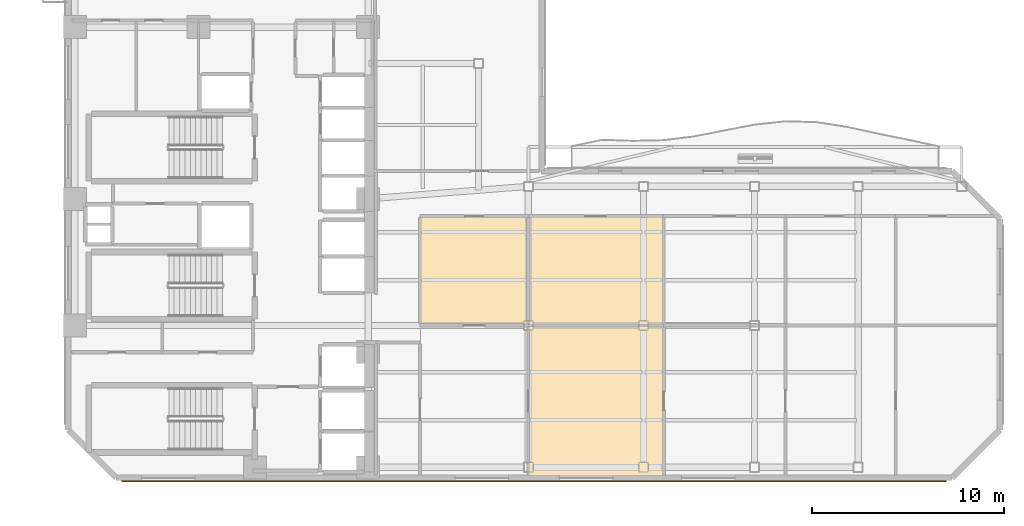
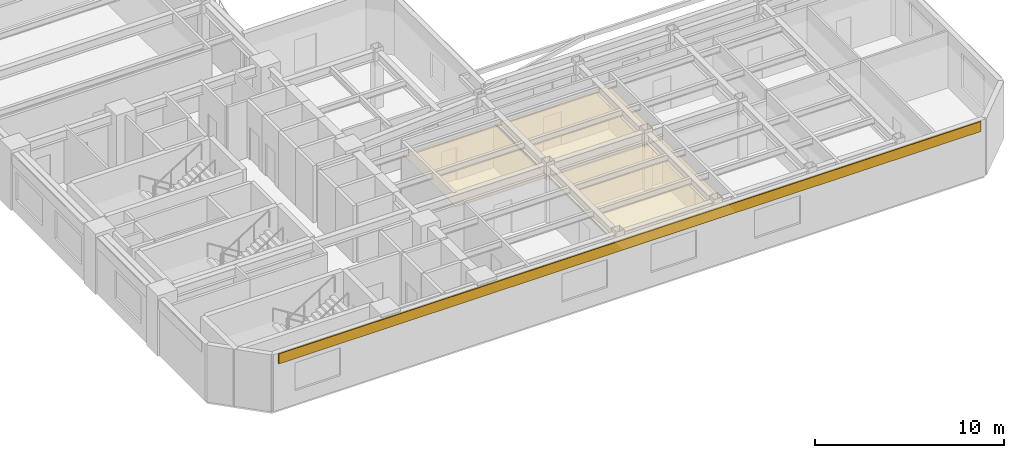
# One storey, part 8 of 12: 4 coverings.
"""IFC4 building model written with IfcOpenShell, lengths in metres."""

from ifc_helpers import new_model, si_unit, direction, frame, origin, origin_2d, place, context, subcontext, project, spatial, polyline, rectangle, outline, extrude, material, layer, layer_set, type_object, element, save


model = new_model("IFC4")

# Units and contexts
model_context = context("Model", 3, precision=1e-05, world=origin(), true_north=direction((0.0, 1.0)))
body_context = subcontext(model_context, "Body", "Model", "MODEL_VIEW")
ifc_project = project(units=[si_unit("LENGTHUNIT", "METRE"), si_unit("AREAUNIT", "SQUARE_METRE"), si_unit("VOLUMEUNIT", "CUBIC_METRE"), si_unit("PLANEANGLEUNIT", "RADIAN"), si_unit("MASSUNIT", "GRAM", prefix="KILO")], contexts=[model_context])

# Site, building, storey
site_placement = place(None, origin())
site = spatial("IfcSite", under=ifc_project, at=site_placement, CompositionType="ELEMENT")
building_placement = place(site_placement, origin())
building = spatial("IfcBuilding", under=site, at=building_placement, Name="Mawjaban Terraces University", CompositionType="ELEMENT")
storey_placement = place(building_placement, frame((0.0, 0.0, 134.60009765625)))
storey = spatial("IfcBuildingStorey", under=building, at=storey_placement, Name="L32", CompositionType="ELEMENT", Elevation=134.60009765625)

# Coverings
ifc_material_1 = material(Name="Acoustic mineral fibre ceiling tile", Category="masonry")
ifc_layer_1 = layer(ifc_material_1, 0.02001953125)
ifc_layer_set_1 = layer_set([ifc_layer_1], Name="Acoustic mineral fibre ceiling tile")
covering_type_1 = type_object("IfcCoveringType", Name="AcousticMineralCeiling_20", PredefinedType="CEILING", material=ifc_layer_set_1)
covering_1_placement = place(storey_placement, frame((0.0, 0.0, 2.75)))
element("IfcCovering", 1, at=covering_1_placement, inside=storey, type_object=covering_type_1, Name="L32 Design Studio 3 Acoustic Ceiling", PredefinedType="CEILING", context=body_context, shape_type="SweptSolid", body=[
    extrude(outline(polyline([(45.969970703125, 7.97998046875), (45.969970703125, 13.6201171875), (40.3798828125, 13.6201171875), (40.3798828125, 7.97998046875), (45.969970703125, 7.97998046875)])), origin(), (0.0, 0.0, 1.0), 0.02001953125),
])
covering_2_placement = place(storey_placement, frame((0.0, 0.0, 2.75)))
element("IfcCovering", 2, at=covering_2_placement, inside=storey, type_object=covering_type_1, Name="L32 Computational Laboratory 4 Acoustic Ceiling", PredefinedType="CEILING", context=body_context, shape_type="SweptSolid", body=[
    extrude(outline(polyline([(46.030029296875, 0.114990234375), (53.02490234375, 0.114990234375), (53.02490234375, 7.919921875), (46.030029296875, 7.919921875), (46.030029296875, 0.114990234375)])), origin(), (0.0, 0.0, 1.0), 0.02001953125),
])
covering_3_placement = place(storey_placement, frame((0.0, 0.0, 2.75)))
element("IfcCovering", 3, at=covering_3_placement, inside=storey, type_object=covering_type_1, Name="L32 Teaching Laboratory 5 Acoustic Ceiling", PredefinedType="CEILING", context=body_context, shape_type="SweptSolid", body=[
    extrude(outline(polyline([(53.02490234375, 7.97998046875), (53.02490234375, 13.6201171875), (46.030029296875, 13.6201171875), (46.030029296875, 7.97998046875), (53.02490234375, 7.97998046875)])), origin(), (0.0, 0.0, 1.0), 0.02001953125),
])
ifc_material_2 = material(Name="Glazed architectural terracotta rainscreen", Category="masonry")
ifc_layer_2 = layer(ifc_material_2, 0.06005859375)
ifc_layer_set_2 = layer_set([ifc_layer_2], Name="Glazed architectural terracotta rainscreen")
covering_type_2 = type_object("IfcCoveringType", Name="TerracottaSpandrelCladding_60", PredefinedType="CLADDING", material=ifc_layer_set_2)
covering_4_placement = place(storey_placement, frame((46.300048828125, -0.175048828125, 3.014892578125), z_axis=(0.0, 0.0, 1.0), x_axis=(1.0, 0.0, 0.0)))
element("IfcCovering", 4, at=covering_4_placement, inside=storey, type_object=covering_type_2, Name="L32 Terracotta Spandrel Cladding 1", PredefinedType="CLADDING", context=body_context, shape_type="SweptSolid", body=[
    extrude(rectangle(XDim=43.0, YDim=0.06005859375, at=origin_2d()), origin(), (0.0, 0.0, 1.0), 0.64990234375),
])

save(model, "model.ifc")
